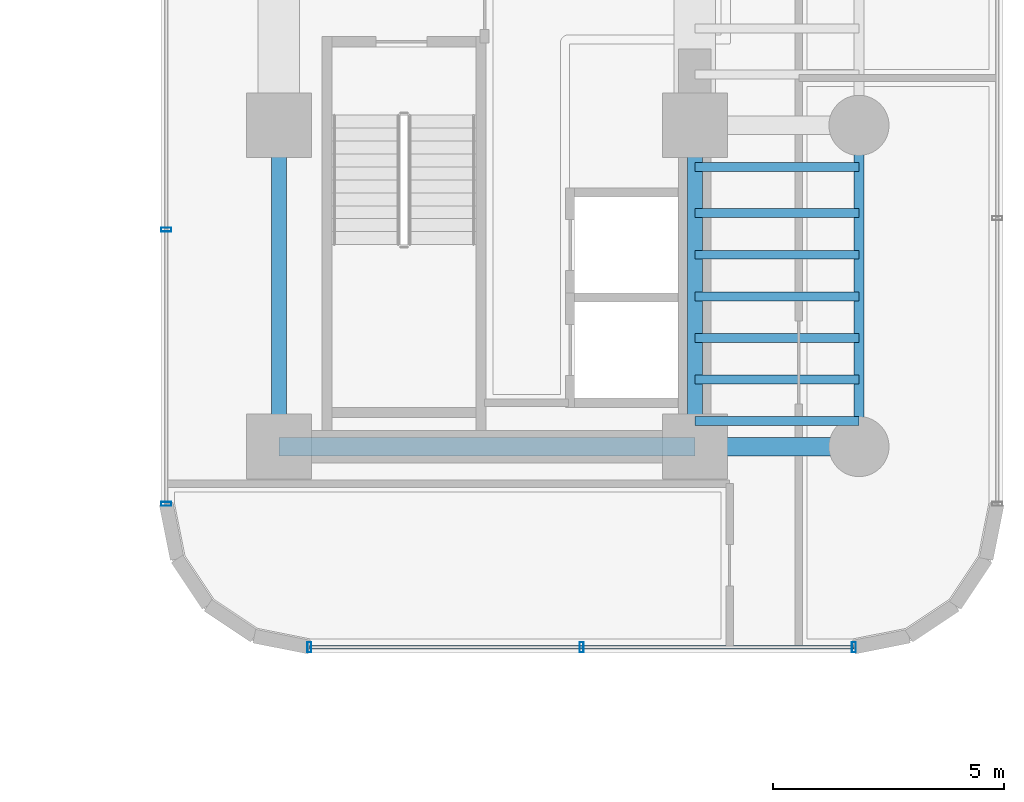
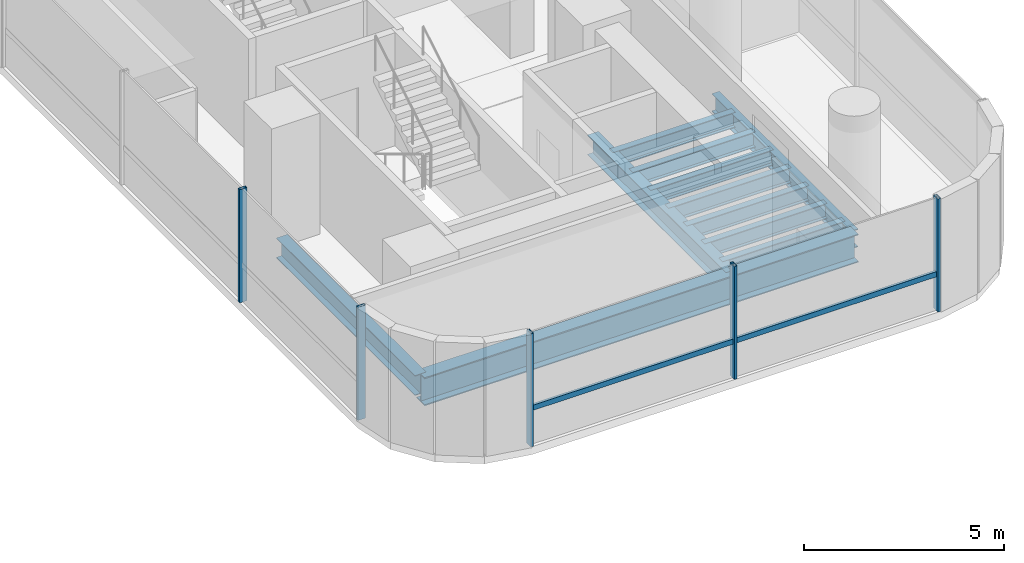
# One storey, part 14 of 40: 12 beams, 6 members, 2 elements without a shape of their own.
"""IFC4 building model written with IfcOpenShell, lengths in metres."""

from ifc_helpers import new_model, si_unit, direction, frame, origin, origin_2d, place, context, subcontext, project, spatial, hollow_rectangle, i_section, extrude, source, transform, mapped, material, material_profile, profile_set, type_object, element, aggregate, save


model = new_model("IFC4")

# Units and contexts
model_context = context("Model", 3, precision=1e-05, world=origin(), true_north=direction((0.0, 1.0)))
body_context = subcontext(model_context, "Body", "Model", "MODEL_VIEW")
ifc_project = project(units=[si_unit("LENGTHUNIT", "METRE"), si_unit("AREAUNIT", "SQUARE_METRE"), si_unit("VOLUMEUNIT", "CUBIC_METRE"), si_unit("PLANEANGLEUNIT", "RADIAN"), si_unit("MASSUNIT", "GRAM", prefix="KILO")], contexts=[model_context])

# Site, building, storey
site_placement = place(None, origin())
site = spatial("IfcSite", under=ifc_project, at=site_placement, CompositionType="ELEMENT")
building_placement = place(site_placement, origin())
building = spatial("IfcBuilding", under=site, at=building_placement, Name="Valdorenza Pilgrim Sanctuary Tower", CompositionType="ELEMENT")
storey_placement = place(building_placement, frame((0.0, 0.0, 48.199951171875)))
storey = spatial("IfcBuildingStorey", under=building, at=storey_placement, Name="L11", CompositionType="ELEMENT", Elevation=48.199951171875)

# Beams
ifc_material_1 = material(Name="Steel ASTM A992 Grade 50", Category="steel")
ifc_material_profile_1 = material_profile(ifc_material_1, i_section(OverallWidth=0.323974609375, OverallDepth=0.611083984375, WebThickness=0.0126953125, FlangeThickness=0.01904296875, at=origin_2d()), Name="W24X104")
ifc_profile_set_1 = profile_set([ifc_material_profile_1], Name="Steel ASTM A992 Grade 50")
beam_type_1 = type_object("IfcBeamType", Name="STR-BM-GRD-W24B", PredefinedType="BEAM", material=ifc_profile_set_1)
shared_shape_1 = source(origin(), body_context, "Body", "SweptSolid", [
    extrude(i_section(OverallWidth=0.323974609375, OverallDepth=0.611083984375, WebThickness=0.0126953125, FlangeThickness=0.01904296875, at=origin_2d()), origin(), (0.0, 0.0, 1.0), 6.949951171875),
])
for number, where, z_axis, x_axis, name in (
    (1, (15.85009765625, -9.550048828125, -0.54541015625), (0.0, 1.0, 0.0), (-1.0, 0.0, 0.0), "L11 Core Tie Girder CB-W-S1M0"),
    (2, (24.85009765625, -9.550048828125, -0.54541015625), (0.0, 1.0, 0.0), (-1.0, 0.0, 0.0), "L11 Core Tie Girder CB-E-S1M0"),
):
    element("IfcBeam", number, at=place(storey_placement, frame(where, z_axis=z_axis, x_axis=x_axis)), inside=storey, type_object=beam_type_1, Name=name, PredefinedType="BEAM", context=body_context, shape_type="MappedRepresentation", body=[
        mapped(shared_shape_1, transform((0.0, 0.0, 0.0), x_axis=(1.0, 0.0, 0.0), y_axis=(0.0, 1.0, 0.0), z_axis=(0.0, 0.0, 1.0), scale=1.0)),
    ])
ifc_material_profile_2 = material_profile(ifc_material_1, i_section(OverallWidth=0.214111328125, OverallDepth=0.549072265625, WebThickness=0.0146484375, FlangeThickness=0.023681640625, at=origin_2d()), Name="W21X93")
ifc_profile_set_2 = profile_set([ifc_material_profile_2], Name="Steel ASTM A992 Grade 50")
beam_type_2 = type_object("IfcBeamType", Name="STR-BM-SPN-W21A", PredefinedType="SPANDREL", material=ifc_profile_set_2)
shared_shape_2 = source(origin(), body_context, "Body", "SweptSolid", [
    extrude(i_section(OverallWidth=0.214111328125, OverallDepth=0.549072265625, WebThickness=0.0146484375, FlangeThickness=0.023681640625, at=origin_2d()), origin(), (0.0, 0.0, 1.0), 6.949951171875),
])
beam_1_placement = place(storey_placement, frame((28.39990234375, -9.550048828125, -0.514404296875), z_axis=(0.0, 1.0, 0.0), x_axis=(-1.0, 0.0, 0.0)))
element("IfcBeam", 3, at=beam_1_placement, inside=storey, type_object=beam_type_2, Name="L11 Spandrel Beam WB-E-S1M0", PredefinedType="SPANDREL", context=body_context, shape_type="MappedRepresentation", body=[
    mapped(shared_shape_2, transform((0.0, 0.0, 0.0), x_axis=(1.0, 0.0, 0.0), y_axis=(0.0, 1.0, 0.0), z_axis=(0.0, 0.0, 1.0), scale=1.0)),
])
ifc_material_profile_3 = material_profile(ifc_material_1, i_section(OverallWidth=0.193115234375, OverallDepth=0.466064453125, WebThickness=0.011474609375, FlangeThickness=0.01904296875, at=origin_2d()), Name="W18X65")
ifc_profile_set_3 = profile_set([ifc_material_profile_3], Name="Steel ASTM A992 Grade 50")
beam_type_3 = type_object("IfcBeamType", Name="STR-BM-JST-W18A", PredefinedType="JOIST", material=ifc_profile_set_3)
shared_shape_3 = source(origin(), body_context, "Body", "SweptSolid", [
    extrude(i_section(OverallWidth=0.193115234375, OverallDepth=0.466064453125, WebThickness=0.011474609375, FlangeThickness=0.01904296875, at=origin_2d()), origin(), (0.0, 0.0, 1.0), 3.5498046875),
])
for number, where, z_axis, x_axis, name in (
    (4, (24.85009765625, -9.0, -0.472900390625), (1.0, 0.0, 0.0), (0.0, 1.0, 0.0), "L11 Composite Floor Joist JST-WB-1"),
    (5, (24.85009765625, -8.10009765625, -0.472900390625), (1.0, 0.0, 0.0), (0.0, 1.0, 0.0), "L11 Composite Floor Joist JST-WB-2"),
    (6, (24.85009765625, -7.199951171875, -0.472900390625), (1.0, 0.0, 0.0), (0.0, 1.0, 0.0), "L11 Composite Floor Joist JST-WB-3"),
    (7, (24.85009765625, -6.300048828125, -0.472900390625), (1.0, 0.0, 0.0), (0.0, 1.0, 0.0), "L11 Composite Floor Joist JST-WB-4"),
    (8, (24.85009765625, -5.39990234375, -0.472900390625), (1.0, 0.0, 0.0), (0.0, 1.0, 0.0), "L11 Composite Floor Joist JST-WB-5"),
    (9, (24.85009765625, -4.5, -0.472900390625), (1.0, 0.0, 0.0), (0.0, 1.0, 0.0), "L11 Composite Floor Joist JST-WB-6"),
    (10, (24.85009765625, -3.5, -0.472900390625), (1.0, 0.0, 0.0), (0.0, 1.0, 0.0), "L11 Composite Floor Joist JST-WB-7"),
):
    element("IfcBeam", number, at=place(storey_placement, frame(where, z_axis=z_axis, x_axis=x_axis)), inside=storey, type_object=beam_type_3, Name=name, PredefinedType="JOIST", context=body_context, shape_type="MappedRepresentation", body=[
        mapped(shared_shape_3, transform((0.0, 0.0, 0.0), x_axis=(1.0, 0.0, 0.0), y_axis=(0.0, 1.0, 0.0), z_axis=(0.0, 0.0, 1.0), scale=1.0)),
    ])
ifc_material_profile_4 = material_profile(ifc_material_1, i_section(OverallWidth=0.39990234375, OverallDepth=0.862060546875, WebThickness=0.019775390625, FlangeThickness=0.032470703125, at=origin_2d()), Name="W33X221")
ifc_profile_set_4 = profile_set([ifc_material_profile_4], Name="Steel ASTM A992 Grade 50")
beam_type_4 = type_object("IfcBeamType", Name="STR-BM-GRD-W33", PredefinedType="BEAM", material=ifc_profile_set_4)
shared_shape_4 = source(origin(), body_context, "Body", "SweptSolid", [
    extrude(i_section(OverallWidth=0.39990234375, OverallDepth=0.862060546875, WebThickness=0.019775390625, FlangeThickness=0.032470703125, at=origin_2d()), origin(), (0.0, 0.0, 1.0), 9.0),
])
beam_2_placement = place(storey_placement, frame((15.85009765625, -9.550048828125, -0.6708984375), z_axis=(1.0, 0.0, 0.0), x_axis=(0.0, 1.0, 0.0)))
element("IfcBeam", 11, at=beam_2_placement, inside=storey, type_object=beam_type_4, Name="L11 Floor Girder CB-XC-S1", PredefinedType="BEAM", context=body_context, shape_type="MappedRepresentation", body=[
    mapped(shared_shape_4, transform((0.0, 0.0, 0.0), x_axis=(1.0, 0.0, 0.0), y_axis=(0.0, 1.0, 0.0), z_axis=(0.0, 0.0, 1.0), scale=1.0)),
])
shared_shape_5 = source(origin(), body_context, "Body", "SweptSolid", [
    extrude(i_section(OverallWidth=0.39990234375, OverallDepth=0.862060546875, WebThickness=0.019775390625, FlangeThickness=0.032470703125, at=origin_2d()), origin(), (0.0, 0.0, 1.0), 3.5498046875),
])
beam_3_placement = place(storey_placement, frame((24.85009765625, -9.550048828125, -0.6708984375), z_axis=(1.0, 0.0, 0.0), x_axis=(0.0, 1.0, 0.0)))
element("IfcBeam", 12, at=beam_3_placement, inside=storey, type_object=beam_type_4, Name="L11 Floor Girder WB-XE-S1", PredefinedType="BEAM", context=body_context, shape_type="MappedRepresentation", body=[
    mapped(shared_shape_5, transform((0.0, 0.0, 0.0), x_axis=(1.0, 0.0, 0.0), y_axis=(0.0, 1.0, 0.0), z_axis=(0.0, 0.0, 1.0), scale=1.0)),
])

# Curtain wall, members
ifc_material_2 = material(Name="Curtain-wall IGU glazing", Category="glass")
curtain_wall_type = type_object("IfcCurtainWallType", Name="CW-SYS-03", PredefinedType="NOTDEFINED", material=ifc_material_2)
curtain_wall_1_placement = place(storey_placement, origin())
curtain_wall_1 = element("IfcCurtainWall", 13, at=curtain_wall_1_placement, inside=storey, type_object=curtain_wall_type, Name="L11 Curtain Wall CW-L11-1-26", PredefinedType="NOTDEFINED")
ifc_material_3 = material(Name="Anodised aluminium AW-6060", Category="aluminium")
ifc_material_profile_5 = material_profile(ifc_material_3, hollow_rectangle(XDim=0.0849609375, YDim=0.219970703125, WallThickness=0.0048828125, at=origin_2d()), Name="ALU-M 220x85x5")
ifc_profile_set_5 = profile_set([ifc_material_profile_5], Name="Anodised aluminium AW-6060")
member_type_1 = type_object("IfcMemberType", Name="CW-MUL-03", PredefinedType="MULLION", material=ifc_profile_set_5)
shared_shape_6 = source(origin(), body_context, "Body", "SweptSolid", [
    extrude(hollow_rectangle(XDim=0.0849609375, YDim=0.219970703125, WallThickness=0.0048828125, at=origin_2d()), origin(), (0.0, 0.0, 1.0), 3.4599609375),
])
member_1_placement = place(storey_placement, frame((28.289306640625, -13.889892578125, 0.0), z_axis=(0.0, 0.0, 1.0), x_axis=(-1.0, 0.0, 0.0)))
member_1 = element("IfcMember", 14, at=member_1_placement, type_object=member_type_1, Name="CW-L11-1-26 Mullion 1", PredefinedType="MULLION", context=body_context, shape_type="MappedRepresentation", body=[
    mapped(shared_shape_6, transform((0.0, 0.0, 0.0), x_axis=(1.0, 0.0, 0.0), y_axis=(0.0, 1.0, 0.0), z_axis=(0.0, 0.0, 1.0), scale=1.0)),
])
member_2_placement = place(storey_placement, frame((22.39990234375, -13.889892578125, 0.0), z_axis=(0.0, 0.0, 1.0), x_axis=(-1.0, 0.0, 0.0)))
member_2 = element("IfcMember", 15, at=member_2_placement, type_object=member_type_1, Name="CW-L11-1-26 Mullion 2", PredefinedType="MULLION", context=body_context, shape_type="MappedRepresentation", body=[
    mapped(shared_shape_6, transform((0.0, 0.0, 0.0), x_axis=(1.0, 0.0, 0.0), y_axis=(0.0, 1.0, 0.0), z_axis=(0.0, 0.0, 1.0), scale=1.0)),
])
member_3_placement = place(storey_placement, frame((16.5107421875, -13.889892578125, 0.0), z_axis=(0.0, 0.0, 1.0), x_axis=(-1.0, 0.0, 0.0)))
member_3 = element("IfcMember", 16, at=member_3_placement, type_object=member_type_1, Name="CW-L11-1-26 Mullion 3", PredefinedType="MULLION", context=body_context, shape_type="MappedRepresentation", body=[
    mapped(shared_shape_6, transform((0.0, 0.0, 0.0), x_axis=(1.0, 0.0, 0.0), y_axis=(0.0, 1.0, 0.0), z_axis=(0.0, 0.0, 1.0), scale=1.0)),
])

curtain_wall_2_placement = place(storey_placement, origin())
curtain_wall_2 = element("IfcCurtainWall", 17, at=curtain_wall_2_placement, inside=storey, type_object=curtain_wall_type, Name="L11 Curtain Wall CW-L11-1-31", PredefinedType="NOTDEFINED")
member_4_placement = place(storey_placement, frame((13.409912109375, -10.789306640625, 0.0), z_axis=(0.0, 0.0, 1.0), x_axis=(0.0, 1.0, 0.0)))
member_4 = element("IfcMember", 18, at=member_4_placement, type_object=member_type_1, Name="CW-L11-1-31 Mullion 1", PredefinedType="MULLION", context=body_context, shape_type="MappedRepresentation", body=[
    mapped(shared_shape_6, transform((0.0, 0.0, 0.0), x_axis=(1.0, 0.0, 0.0), y_axis=(0.0, 1.0, 0.0), z_axis=(0.0, 0.0, 1.0), scale=1.0)),
])
member_5_placement = place(storey_placement, frame((13.409912109375, -4.85595703125, 0.0), z_axis=(0.0, 0.0, 1.0), x_axis=(0.0, 1.0, 0.0)))
member_5 = element("IfcMember", 19, at=member_5_placement, type_object=member_type_1, Name="CW-L11-1-31 Mullion 2", PredefinedType="MULLION", context=body_context, shape_type="MappedRepresentation", body=[
    mapped(shared_shape_6, transform((0.0, 0.0, 0.0), x_axis=(1.0, 0.0, 0.0), y_axis=(0.0, 1.0, 0.0), z_axis=(0.0, 0.0, 1.0), scale=1.0)),
])
aggregate(curtain_wall_2, [member_4, member_5])

# Member
ifc_material_profile_6 = material_profile(ifc_material_3, hollow_rectangle(XDim=0.074951171875, YDim=0.159912109375, WallThickness=0.00390625, at=origin_2d()), Name="ALU-T 160x75x4")
ifc_profile_set_6 = profile_set([ifc_material_profile_6], Name="Anodised aluminium AW-6060")
member_type_2 = type_object("IfcMemberType", Name="CW-TRN-03", PredefinedType="USERDEFINED", material=ifc_profile_set_6)
shared_shape_7 = source(origin(), body_context, "Body", "SweptSolid", [
    extrude(hollow_rectangle(XDim=0.074951171875, YDim=0.159912109375, WallThickness=0.00390625, at=origin_2d()), origin(), (0.0, 0.0, 1.0), 11.778564453125),
])
member_6_placement = place(storey_placement, frame((28.289306640625, -13.889892578125, 1.1201171875), z_axis=(-1.0, 0.0, 0.0), x_axis=(0.0, -1.0, 0.0)))
member_6 = element("IfcMember", 20, at=member_6_placement, type_object=member_type_2, Name="CW-L11-1-26 Transom 1", ObjectType="TRANSOM", PredefinedType="USERDEFINED", context=body_context, shape_type="MappedRepresentation", body=[
    mapped(shared_shape_7, transform((0.0, 0.0, 0.0), x_axis=(1.0, 0.0, 0.0), y_axis=(0.0, 1.0, 0.0), z_axis=(0.0, 0.0, 1.0), scale=1.0)),
])

aggregate(curtain_wall_1, [member_1, member_2, member_3, member_6])

save(model, "model.ifc")
